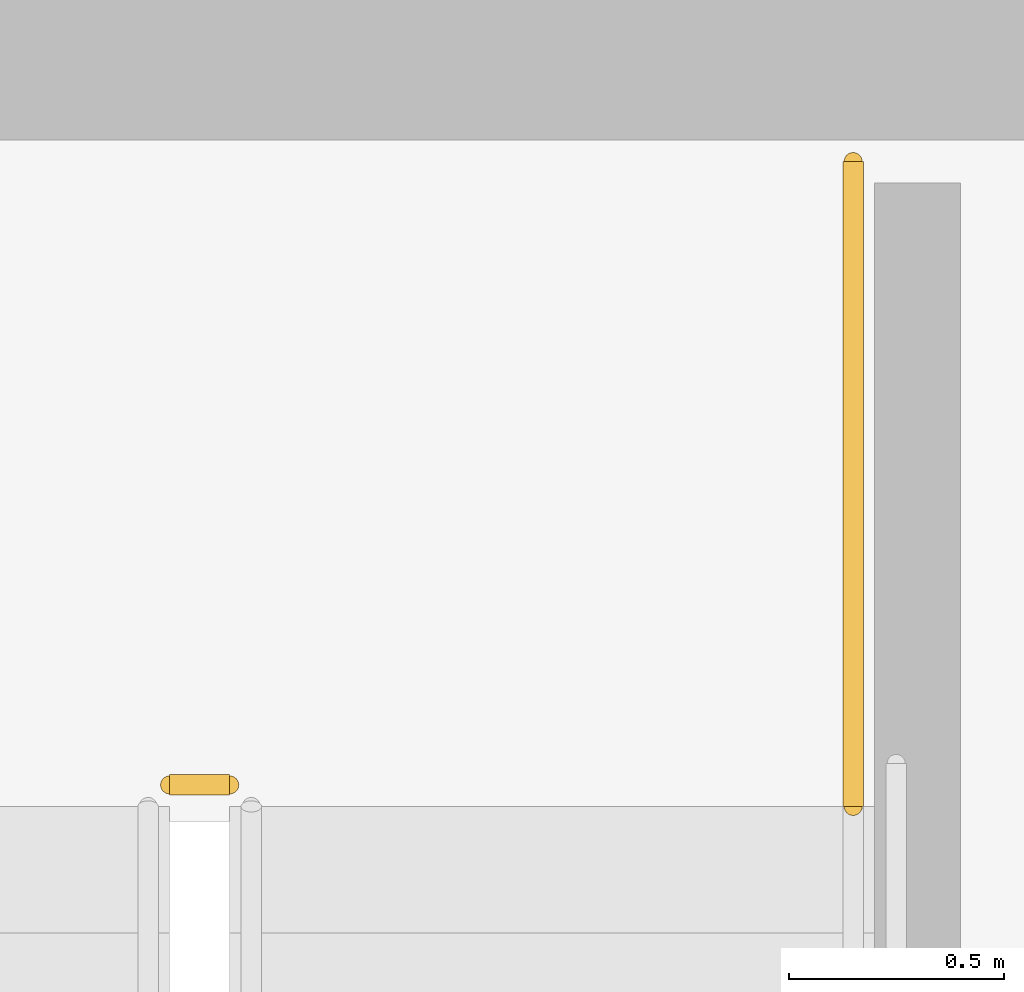
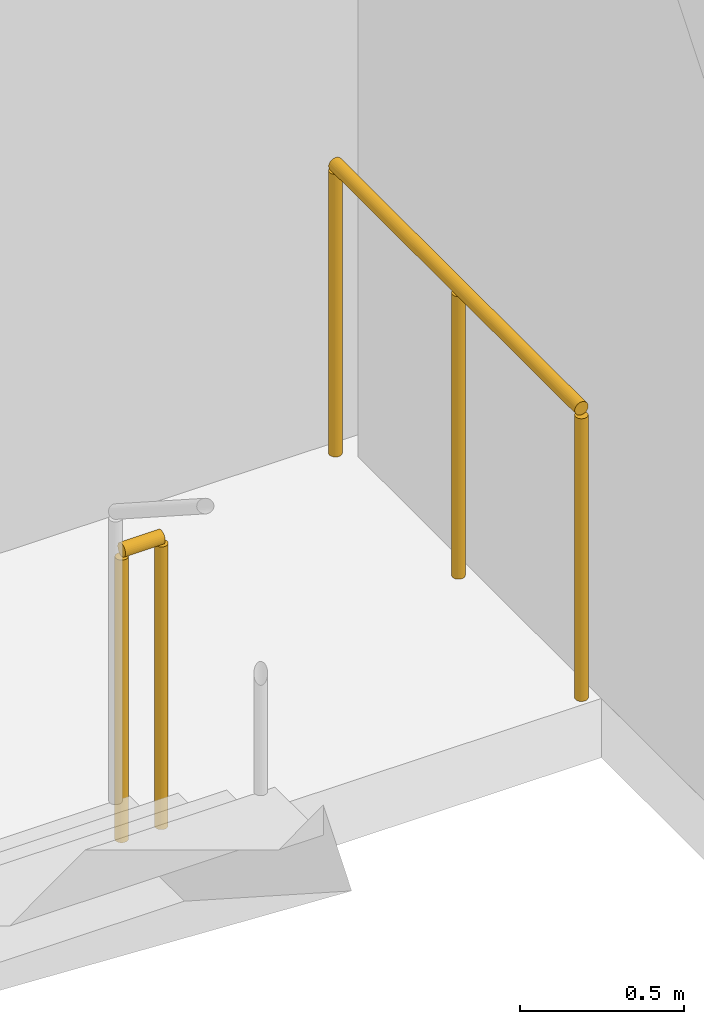
# One storey, part 33 of 34: 2 railings.
"""IFC4 building model written with IfcOpenShell, lengths in metres."""

import ifcopenshell
import ifcopenshell.guid

model = None  # the IFC model being written
_history = None  # IfcOwnerHistory: only IFC2X3 demands one
_inside = {}  # id of a spatial element -> (the spatial element, [elements in it])
_under = {}  # id of a project, library or spatial element -> (it, [spatial elements below it])
_declared = {}  # id of a project -> (the project, [libraries it declares])
_typed = {}  # id of a type object -> (the type object, [elements of that type])
_made_of = {}  # id of a material, layer set ... -> (it, [elements and type objects made of it])


def new_model(schema):
    """Start an empty IFC model of exactly this schema.

    Asked for "IFC4X3", IfcOpenShell would pick the latest addendum, in which some entities
    have other attributes; the version numbers below select the first issue.
    IFC2X3 requires an IfcOwnerHistory on every rooted entity: one is made here for all.
    """
    global model, _history
    if schema == "IFC4X3":
        model = ifcopenshell.file(schema_version=(4, 3, 0, 0))
    else:
        model = ifcopenshell.file(schema=schema)
    _inside.clear()
    _under.clear()
    _declared.clear()
    _typed.clear()
    _made_of.clear()
    _history = None
    if model.schema == "IFC2X3":
        org = make("IfcOrganization", Name="unknown")
        user = make(
            "IfcPersonAndOrganization",
            ThePerson=make("IfcPerson", FamilyName="unknown"),
            TheOrganization=org,
        )
        app = make(
            "IfcApplication",
            ApplicationDeveloper=org,
            Version="unknown",
            ApplicationFullName="unknown",
            ApplicationIdentifier="unknown",
        )
        _history = make(
            "IfcOwnerHistory",
            OwningUser=user,
            OwningApplication=app,
            ChangeAction="ADDED",
            CreationDate=0,
        )
    return model


def make(cls, **values):
    """One entity of the class cls with the attributes given. An attribute that is None is left unset."""
    return model.create_entity(
        cls, **{name: value for name, value in values.items() if value is not None}
    )


def rooted(cls, **values):
    """An entity with a GlobalId (a new one), such as an element, a storey or a relation."""
    return make(cls, GlobalId=ifcopenshell.guid.new(), OwnerHistory=_history, **values)


def si_unit(unit_type, name, prefix=None):
    """IfcSIUnit, for example si_unit("LENGTHUNIT", "METRE", prefix="MILLI")."""
    return make("IfcSIUnit", UnitType=unit_type, Prefix=prefix, Name=name)


def assignment(units):
    """IfcUnitAssignment: the units of a project."""
    return None if units is None else make("IfcUnitAssignment", Units=units)


def point(xyz):
    """IfcCartesianPoint."""
    return None if xyz is None else make("IfcCartesianPoint", Coordinates=xyz)


def direction(xyz):
    """IfcDirection."""
    return None if xyz is None else make("IfcDirection", DirectionRatios=xyz)


def frame(location, z_axis=None, x_axis=None):
    """IfcAxis2Placement3D, a coordinate frame: its origin and axes. An axis left out is left unset."""
    return make(
        "IfcAxis2Placement3D",
        Location=point(location),
        Axis=direction(z_axis),
        RefDirection=direction(x_axis),
    )


def frame_2d(location, x_axis=None):
    """IfcAxis2Placement2D, a coordinate frame in the plane: its origin and x axis."""
    return make(
        "IfcAxis2Placement2D", Location=point(location), RefDirection=direction(x_axis)
    )


def origin():
    """The frame at (0, 0, 0) with its axes left unset."""
    return frame((0.0, 0.0, 0.0))


def origin_2d():
    """The frame at (0, 0) in the plane with its x axis left unset."""
    return frame_2d((0.0, 0.0))


def place(relative_to, where):
    """IfcLocalPlacement: puts the frame where relative to a parent placement (None: the world)."""
    return make(
        "IfcLocalPlacement", PlacementRelTo=relative_to, RelativePlacement=where
    )


def context(
    kind, dimensions, precision=None, world=None, true_north=None, identifier=None
):
    """IfcGeometricRepresentationContext, for example the 3D "Model" context."""
    return make(
        "IfcGeometricRepresentationContext",
        ContextIdentifier=identifier,
        ContextType=kind,
        CoordinateSpaceDimension=dimensions,
        Precision=precision,
        WorldCoordinateSystem=world,
        TrueNorth=true_north,
    )


def subcontext(parent, identifier, kind, view, scale=None):
    """IfcGeometricRepresentationSubContext, for example "Body" below "Model"."""
    return make(
        "IfcGeometricRepresentationSubContext",
        ContextIdentifier=identifier,
        ContextType=kind,
        ParentContext=parent,
        TargetScale=scale,
        TargetView=view,
    )


def project(units=None, contexts=None):
    """IfcProject with its units and contexts."""
    return rooted(
        "IfcProject",
        Name="project",
        RepresentationContexts=contexts,
        UnitsInContext=assignment(units),
    )


def spatial(cls, under=None, at=None, **own):
    """A site, building, storey or space (cls), placed at a placement, below another one or the project."""
    s = rooted(cls, ObjectPlacement=at, **own)
    if under is not None:
        _under.setdefault(under.id(), (under, []))[1].append(s)
    return s


def profile(cls, at=None, kind="AREA", **sizes):
    """A parametric profile (cls). Its sizes go by their IFC names, for example OverallWidth=200.0."""
    return make(cls, ProfileType=kind, Position=at, **sizes)


def circle(**sizes):
    """IfcCircleProfileDef."""
    return profile("IfcCircleProfileDef", **sizes)


def extrude(swept, where, along, depth):
    """IfcExtrudedAreaSolid: the profile swept, set in the frame where, extruded along a direction by depth."""
    return make(
        "IfcExtrudedAreaSolid",
        SweptArea=swept,
        Position=where,
        ExtrudedDirection=direction(along),
        Depth=depth,
    )


def shape(context_of_items, identifier, shape_type, items):
    """IfcShapeRepresentation: the items that make up one representation, for example the "Body"."""
    return make(
        "IfcShapeRepresentation",
        ContextOfItems=context_of_items,
        RepresentationIdentifier=identifier,
        RepresentationType=shape_type,
        Items=items,
    )


def material(Name=None, Category=None):
    """IfcMaterial."""
    return make("IfcMaterial", Name=Name, Category=Category)


def layer(
    of_material, thickness, ventilated=None, Name=None, Category=None, Priority=None
):
    """IfcMaterialLayer: one layer of a wall or slab, of a material (None: an air gap)."""
    return make(
        "IfcMaterialLayer",
        Material=of_material,
        LayerThickness=thickness,
        IsVentilated=ventilated,
        Name=Name,
        Category=Category,
        Priority=Priority,
    )


def layer_set(layers, Name=None):
    """IfcMaterialLayerSet."""
    return make("IfcMaterialLayerSet", MaterialLayers=layers, LayerSetName=Name)


def made_of(thing, what):
    """Note that an element or type object is made of a material, layer set ...; save() writes the relation."""
    if what is not None:
        _made_of.setdefault(what.id(), (what, []))[1].append(thing)
    return thing


def type_object(cls, material=None, **own):
    """A type object (cls), such as IfcWallType, which elements share."""
    return made_of(rooted(cls, **own), material)


def element(
    cls,
    number,
    at=None,
    inside=None,
    cuts=None,
    type_object=None,
    material=None,
    context=None,
    identifier="Body",
    shape_type=None,
    held_by="IfcProductDefinitionShape",
    body=None,
    shapes=None,
    **own,
):
    """One element of the class cls, such as IfcWall. Its Tag is "e" and its number.

    at: its placement. inside: the storey or other place that contains it. cuts: it is an
    opening in that element (IfcRelVoidsElement). A single representation is given by context,
    identifier, shape_type and body (its items); several are given by shapes. held_by: the class
    of the entity that holds the representations. save() writes the other relations.
    """
    e = rooted(cls, Tag="e%d" % number, ObjectPlacement=at, **own)
    if body is not None:
        shapes = [shape(context, identifier, shape_type, body)]
    if shapes is not None:
        e.Representation = make(held_by, Representations=shapes)
    if inside is not None:
        _inside.setdefault(inside.id(), (inside, []))[1].append(e)
    if cuts is not None:
        rooted(
            "IfcRelVoidsElement", RelatingBuildingElement=cuts, RelatedOpeningElement=e
        )
    if type_object is not None:
        _typed.setdefault(type_object.id(), (type_object, []))[1].append(e)
    return made_of(e, material)


def aggregate(whole, parts):
    """IfcRelAggregates: a whole, such as a stair, and the parts it consists of."""
    return rooted("IfcRelAggregates", RelatingObject=whole, RelatedObjects=parts)


def save(model, path):
    """Write the relations noted so far, then the file.

    IfcRelAggregates (storeys below a building ...), IfcRelContainedInSpatialStructure (elements
    in a storey), IfcRelDefinesByType, IfcRelAssociatesMaterial and IfcRelDeclares: one each for
    every whole, place, type object, material and project.
    """
    for whole, parts in _under.values():
        aggregate(whole, parts)
    for where, things in _inside.values():
        rooted(
            "IfcRelContainedInSpatialStructure",
            RelatedElements=things,
            RelatingStructure=where,
        )
    for kind, things in _typed.values():
        rooted("IfcRelDefinesByType", RelatedObjects=things, RelatingType=kind)
    for what, things in _made_of.values():
        rooted("IfcRelAssociatesMaterial", RelatedObjects=things, RelatingMaterial=what)
    for by, libraries in _declared.values():
        rooted("IfcRelDeclares", RelatingContext=by, RelatedDefinitions=libraries)
    model.write(path)


model = new_model("IFC4")

# Units and contexts
model_context = context("Model", 3, precision=1e-05, world=origin(), true_north=direction((0.0, 1.0)))
body_context = subcontext(model_context, "Body", "Model", "MODEL_VIEW")
ifc_project = project(units=[si_unit("LENGTHUNIT", "METRE"), si_unit("AREAUNIT", "SQUARE_METRE"), si_unit("VOLUMEUNIT", "CUBIC_METRE"), si_unit("PLANEANGLEUNIT", "RADIAN"), si_unit("MASSUNIT", "GRAM", prefix="KILO")], contexts=[model_context])

# Site, building, storey
site_placement = place(None, origin())
site = spatial("IfcSite", under=ifc_project, at=site_placement, CompositionType="ELEMENT")
building_placement = place(site_placement, origin())
building = spatial("IfcBuilding", under=site, at=building_placement, Name="Ndaravel Arena Tower", CompositionType="ELEMENT")
storey_placement = place(building_placement, frame((0.0, 0.0, 191.60009765625)))
storey = spatial("IfcBuildingStorey", under=building, at=storey_placement, Name="L46", CompositionType="ELEMENT", Elevation=191.60009765625)

# Railings
ifc_material = material(Name="Steel S355", Category="steel")
ifc_layer = layer(ifc_material, 0.06005859375)
ifc_layer_set = layer_set([ifc_layer], Name="Steel S355")
railing_type = type_object("IfcRailingType", Name="RAIL-STAIR-GD1100", PredefinedType="GUARDRAIL", material=ifc_layer_set)
railing_1_placement = place(storey_placement, frame((55.10009765625, 13.300048828125, 0.0)))
element("IfcRailing", 1, at=railing_1_placement, inside=storey, type_object=railing_type, Name="L46 ST-3 stair guard 4", PredefinedType="GUARDRAIL", context=body_context, shape_type="SweptSolid", body=[
    extrude(circle(Radius=0.02392578125, at=origin_2d()), frame((0.0, 0.0, 1.076171875), z_axis=(1.0, 0.0, 0.0), x_axis=(0.0, 1.0, 0.0)), (0.0, 0.0, 1.0), 0.139892578125),
    extrude(circle(Radius=0.02099609375, at=origin_2d()), origin(), (0.0, 0.0, 1.0), 1.052001953125),
    extrude(circle(Radius=0.02099609375, at=origin_2d()), frame((0.139892578125, 0.0, 0.0)), (0.0, 0.0, 1.0), 1.052001953125),
])
railing_2_placement = place(storey_placement, frame((56.68994140625, 14.75, 0.0)))
element("IfcRailing", 2, at=railing_2_placement, inside=storey, type_object=railing_type, Name="L46 ST-3 stair guard 5", PredefinedType="GUARDRAIL", context=body_context, shape_type="SweptSolid", body=[
    extrude(circle(Radius=0.02392578125, at=origin_2d()), frame((0.0, 0.0, 1.076171875), z_axis=(0.0, -1.0, 0.0), x_axis=(1.0, 0.0, 0.0)), (0.0, 0.0, 1.0), 1.5),
    extrude(circle(Radius=0.02099609375, at=origin_2d()), origin(), (0.0, 0.0, 1.0), 1.052001953125),
    extrude(circle(Radius=0.02099609375, at=origin_2d()), frame((0.0, -0.75, 0.0)), (0.0, 0.0, 1.0), 1.052001953125),
    extrude(circle(Radius=0.02099609375, at=origin_2d()), frame((0.0, -1.5, 0.0)), (0.0, 0.0, 1.0), 1.052001953125),
])

save(model, "model.ifc")
